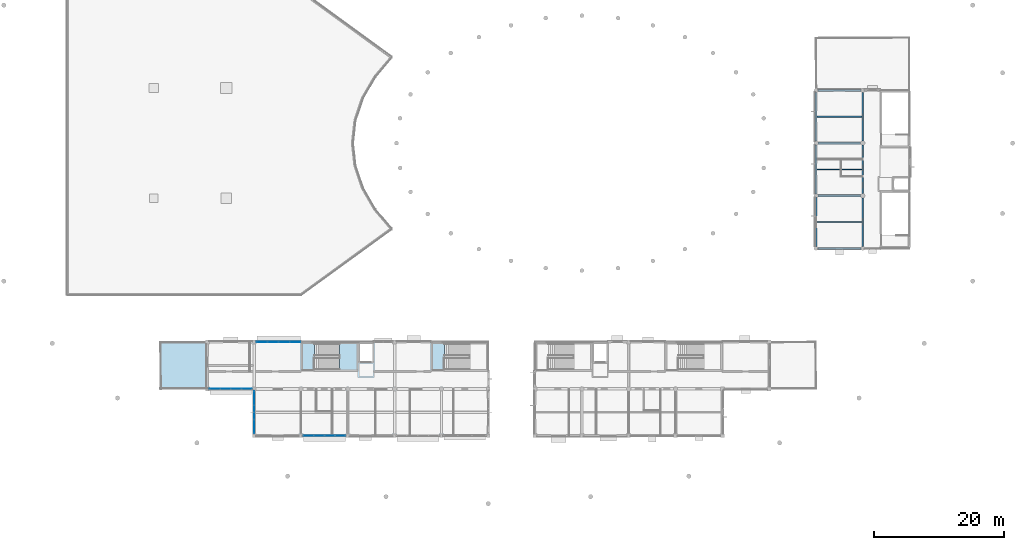
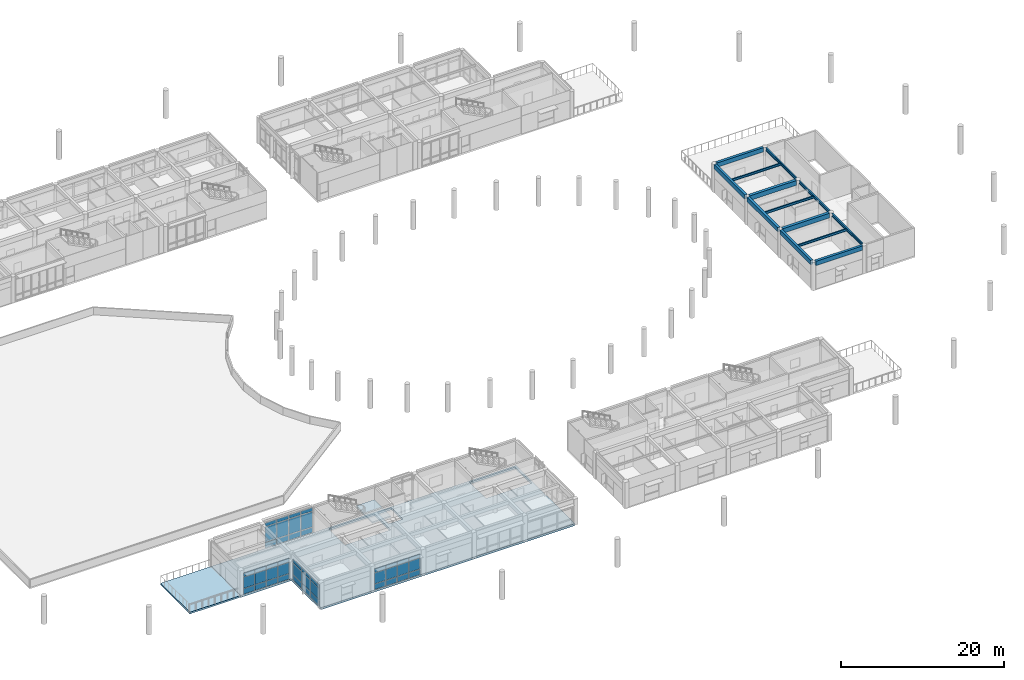
# One storey, part 15 of 55: 45 plates, 13 beams, 3 slabs, 5 elements without a shape of their own.
"""IFC4 building model written with IfcOpenShell, lengths in metres."""

from ifc_helpers import new_model, si_unit, direction, frame, origin, origin_2d, place, context, subcontext, project, spatial, polyline, rectangle, i_section, outline, extrude, material, layer, layer_set, material_profile, profile_set, type_object, element, aggregate, save


model = new_model("IFC4")

# Units and contexts
model_context = context("Model", 3, precision=1e-05, world=origin(), true_north=direction((0.0, 1.0)))
body_context = subcontext(model_context, "Body", "Model", "MODEL_VIEW")
ifc_project = project(units=[si_unit("LENGTHUNIT", "METRE"), si_unit("AREAUNIT", "SQUARE_METRE"), si_unit("VOLUMEUNIT", "CUBIC_METRE"), si_unit("PLANEANGLEUNIT", "RADIAN"), si_unit("MASSUNIT", "GRAM", prefix="KILO")], contexts=[model_context])

# Site, building, storey
site_placement = place(None, origin())
site = spatial("IfcSite", under=ifc_project, at=site_placement, CompositionType="ELEMENT")
building_placement = place(site_placement, origin())
building = spatial("IfcBuilding", under=site, at=building_placement, Name="Namkhue Oval Health Centre", CompositionType="ELEMENT")
storey_placement = place(building_placement, frame((0.0, 0.0, 9.60009765625)))
storey = spatial("IfcBuildingStorey", under=building, at=storey_placement, Name="L02", CompositionType="ELEMENT", Elevation=9.60009765625)

# Beams
ifc_material_1 = material(Name="Structural steel EN 10025-2 S355JR (TCVN 5575:2024)", Category="steel")
ifc_material_profile_1 = material_profile(ifc_material_1, i_section(OverallWidth=0.18994140625, OverallDepth=0.449951171875, WebThickness=0.009521484375, FlangeThickness=0.0146484375, FilletRadius=0.02099609375, at=origin_2d()), Name="IPE 450")
ifc_profile_set_1 = profile_set([ifc_material_profile_1], Name="Structural steel EN 10025-2 S355JR (TCVN 5575:2024)")
beam_type_1 = type_object("IfcBeamType", Name="FLOOR BEAM STEEL IPE 450", PredefinedType="BEAM", material=ifc_profile_set_1)
beam_1_placement = place(storey_placement, frame((144.0, 43.5, 3.974853515625), z_axis=(0.0, 1.0, 0.0), x_axis=(-1.0, 0.0, 0.0)))
element("IfcBeam", 1, at=beam_1_placement, inside=storey, type_object=beam_type_1, Name="Volume V6 L03 Beam 21/G-H", PredefinedType="BEAM", context=body_context, shape_type="SweptSolid", body=[
    extrude(i_section(OverallWidth=0.18994140625, OverallDepth=0.449951171875, WebThickness=0.009521484375, FlangeThickness=0.0146484375, FilletRadius=0.02099609375, at=origin_2d()), origin(), (0.0, 0.0, 1.0), 7.47509765625),
])
beam_2_placement = place(storey_placement, frame((144.0, 51.625, 3.974853515625), z_axis=(0.0, 1.0, 0.0), x_axis=(-1.0, 0.0, 0.0)))
element("IfcBeam", 2, at=beam_2_placement, inside=storey, type_object=beam_type_1, Name="Volume V6 L03 Beam 21/H-J", PredefinedType="BEAM", context=body_context, shape_type="SweptSolid", body=[
    extrude(i_section(OverallWidth=0.18994140625, OverallDepth=0.449951171875, WebThickness=0.009521484375, FlangeThickness=0.0146484375, FilletRadius=0.02099609375, at=origin_2d()), origin(), (0.0, 0.0, 1.0), 7.449951171875),
])
beam_3_placement = place(storey_placement, frame((144.0, 59.72509765625, 3.974853515625), z_axis=(0.0, 1.0, 0.0), x_axis=(-1.0, 0.0, 0.0)))
element("IfcBeam", 3, at=beam_3_placement, inside=storey, type_object=beam_type_1, Name="Volume V6 L03 Beam 21/J-K", PredefinedType="BEAM", context=body_context, shape_type="SweptSolid", body=[
    extrude(i_section(OverallWidth=0.18994140625, OverallDepth=0.449951171875, WebThickness=0.009521484375, FlangeThickness=0.0146484375, FilletRadius=0.02099609375, at=origin_2d()), origin(), (0.0, 0.0, 1.0), 7.474853515625),
])
ifc_material_2 = material(Name="Reinforced concrete C35/45 (TCVN B40)", Category="concrete")
ifc_material_profile_2 = material_profile(ifc_material_2, rectangle(XDim=0.35009765625, YDim=0.64990234375, at=origin_2d()), Name="RC 350x650")
ifc_profile_set_2 = profile_set([ifc_material_profile_2], Name="Reinforced concrete C35/45 (TCVN B40)")
beam_type_2 = type_object("IfcBeamType", Name="PERIMETER SPANDREL BEAM 350X650", PredefinedType="SPANDREL", material=ifc_profile_set_2)
for number, where, z_axis, x_axis, name in (
    (4, (137.10009765625, 43.199951171875, 3.875), (1.0, 0.0, 0.0), (0.0, 1.0, 0.0), "Volume V6 L03 Girder G/20-21"),
    (5, (137.10009765625, 67.5, 3.875), (1.0, 0.0, 0.0), (0.0, 1.0, 0.0), "Volume V6 L03 Girder K/20-21"),
):
    element("IfcBeam", number, at=place(storey_placement, frame(where, z_axis=z_axis, x_axis=x_axis)), inside=storey, type_object=beam_type_2, Name=name, PredefinedType="SPANDREL", context=body_context, shape_type="SweptSolid", body=[
        extrude(rectangle(XDim=0.35009765625, YDim=0.64990234375, at=origin_2d()), origin(), (0.0, 0.0, 1.0), 6.599853515625),
    ])
for number, where, z_axis, x_axis, name in (
    (6, (136.800048828125, 43.5, 3.875), (0.0, 1.0, 0.0), (-1.0, 0.0, 0.0), "Volume V6 L03 Beam 20/G-H"),
    (7, (136.800048828125, 51.60009765625, 3.875), (0.0, 1.0, 0.0), (-1.0, 0.0, 0.0), "Volume V6 L03 Beam 20/H-J"),
    (8, (136.800048828125, 59.699951171875, 3.875), (0.0, 1.0, 0.0), (-1.0, 0.0, 0.0), "Volume V6 L03 Beam 20/J-K"),
):
    element("IfcBeam", number, at=place(storey_placement, frame(where, z_axis=z_axis, x_axis=x_axis)), inside=storey, type_object=beam_type_2, Name=name, PredefinedType="SPANDREL", context=body_context, shape_type="SweptSolid", body=[
        extrude(rectangle(XDim=0.35009765625, YDim=0.64990234375, at=origin_2d()), origin(), (0.0, 0.0, 1.0), 7.5),
    ])
ifc_material_profile_3 = material_profile(ifc_material_2, rectangle(XDim=0.39990234375, YDim=0.699951171875, at=origin_2d()), Name="RC 400x700")
ifc_profile_set_3 = profile_set([ifc_material_profile_3], Name="Reinforced concrete C35/45 (TCVN B40)")
beam_type_3 = type_object("IfcBeamType", Name="PRIMARY GIRDER RC 400X700", PredefinedType="USERDEFINED", material=ifc_profile_set_3)
for number, where, z_axis, x_axis, name in (
    (9, (137.10009765625, 51.300048828125, 3.849853515625), (1.0, 0.0, 0.0), (0.0, 1.0, 0.0), "Volume V6 L03 Girder H/20-21"),
    (10, (137.10009765625, 59.39990234375, 3.849853515625), (1.0, 0.0, 0.0), (0.0, 1.0, 0.0), "Volume V6 L03 Girder J/20-21"),
):
    element("IfcBeam", number, at=place(storey_placement, frame(where, z_axis=z_axis, x_axis=x_axis)), inside=storey, type_object=beam_type_3, Name=name, ObjectType="GIRDER", PredefinedType="USERDEFINED", context=body_context, shape_type="SweptSolid", body=[
        extrude(rectangle(XDim=0.39990234375, YDim=0.699951171875, at=origin_2d()), origin(), (0.0, 0.0, 1.0), 6.574951171875),
    ])
ifc_material_profile_4 = material_profile(ifc_material_1, i_section(OverallWidth=0.169921875, OverallDepth=0.360107421875, WebThickness=0.008056640625, FlangeThickness=0.0126953125, FilletRadius=0.01806640625, at=origin_2d()), Name="IPE 360")
ifc_profile_set_4 = profile_set([ifc_material_profile_4], Name="Structural steel EN 10025-2 S355JR (TCVN 5575:2024)")
beam_type_4 = type_object("IfcBeamType", Name="SECONDARY JOIST STEEL IPE 360", PredefinedType="JOIST", material=ifc_profile_set_4)
for number, where, z_axis, x_axis, name in (
    (11, (136.97509765625, 47.25, 4.02001953125), (1.0, 0.0, 0.0), (0.0, 1.0, 0.0), "Volume V6 L03 Secondary Joist 20-21"),
    (12, (136.97509765625, 55.35009765625, 4.02001953125), (1.0, 0.0, 0.0), (0.0, 1.0, 0.0), "Volume V6 L03 Secondary Joist 20-21"),
    (13, (136.97509765625, 63.449951171875, 4.02001953125), (1.0, 0.0, 0.0), (0.0, 1.0, 0.0), "Volume V6 L03 Secondary Joist 20-21"),
):
    element("IfcBeam", number, at=place(storey_placement, frame(where, z_axis=z_axis, x_axis=x_axis)), inside=storey, type_object=beam_type_4, Name=name, PredefinedType="JOIST", context=body_context, shape_type="SweptSolid", body=[
        extrude(i_section(OverallWidth=0.169921875, OverallDepth=0.360107421875, WebThickness=0.008056640625, FlangeThickness=0.0126953125, FilletRadius=0.01806640625, at=origin_2d()), origin(), (0.0, 0.0, 1.0), 6.929931640625),
    ])

# Curtain wall, plates
ifc_material_3 = material(Name="Anodised aluminium EN AW-6063 T6", Category="aluminium")
ifc_layer_1 = layer(ifc_material_3, 0.159912109375)
ifc_layer_set_1 = layer_set([ifc_layer_1], Name="Anodised aluminium EN AW-6063 T6")
curtain_wall_type_1 = type_object("IfcCurtainWallType", Name="UNITISED CURTAIN WALL M1600", PredefinedType="NOTDEFINED", material=ifc_layer_set_1)
curtain_wall_1_placement = place(storey_placement, origin())
curtain_wall_1 = element("IfcCurtainWall", 14, at=curtain_wall_1_placement, inside=storey, type_object=curtain_wall_type_1, Name="Volume V4 L02 Unitised Curtain Wall 166", PredefinedType="NOTDEFINED")
ifc_material_4 = material(Name="Thermally broken low-E laminated double glazing", Category="glass")
ifc_layer_2 = layer(ifc_material_4, 0.028076171875)
ifc_layer_set_2 = layer_set([ifc_layer_2], Name="Thermally broken low-E laminated double glazing")
plate_type_1 = type_object("IfcPlateType", Name="CURTAIN WALL GLAZED PANEL 28", PredefinedType="CURTAIN_PANEL", material=ifc_layer_set_2)
plate_1_placement = place(storey_placement, frame((56.705322265625, 28.800048828125, 0.074951171875), z_axis=(0.0, 0.0, 1.0), x_axis=(-1.0, 0.0, 0.0)))
plate_1 = element("IfcPlate", 15, at=plate_1_placement, type_object=plate_type_1, Name="CW-04 panel 1.1", PredefinedType="CURTAIN_PANEL", context=body_context, shape_type="SweptSolid", body=[
    extrude(rectangle(XDim=1.60546875, YDim=0.028076171875, at=origin_2d()), origin(), (0.0, 0.0, 1.0), 0.78759765625),
])
plate_2_placement = place(storey_placement, frame((56.705322265625, 28.800048828125, 0.9375), z_axis=(0.0, 0.0, 1.0), x_axis=(-1.0, 0.0, 0.0)))
plate_2 = element("IfcPlate", 16, at=plate_2_placement, type_object=plate_type_1, Name="CW-04 panel 1.2", PredefinedType="CURTAIN_PANEL", context=body_context, shape_type="SweptSolid", body=[
    extrude(rectangle(XDim=1.60546875, YDim=0.028076171875, at=origin_2d()), origin(), (0.0, 0.0, 1.0), 2.27490234375),
])
plate_3_placement = place(storey_placement, frame((56.705322265625, 28.800048828125, 3.287353515625), z_axis=(0.0, 0.0, 1.0), x_axis=(-1.0, 0.0, 0.0)))
plate_3 = element("IfcPlate", 17, at=plate_3_placement, type_object=plate_type_1, Name="CW-04 panel 1.3", PredefinedType="CURTAIN_PANEL", context=body_context, shape_type="SweptSolid", body=[
    extrude(rectangle(XDim=1.60546875, YDim=0.028076171875, at=origin_2d()), origin(), (0.0, 0.0, 1.0), 0.53759765625),
])
plate_4_placement = place(storey_placement, frame((55.006103515625, 28.800048828125, 0.074951171875), z_axis=(0.0, 0.0, 1.0), x_axis=(-1.0, 0.0, 0.0)))
plate_4 = element("IfcPlate", 18, at=plate_4_placement, type_object=plate_type_1, Name="CW-04 panel 2.1", PredefinedType="CURTAIN_PANEL", context=body_context, shape_type="SweptSolid", body=[
    extrude(rectangle(XDim=1.64306640625, YDim=0.028076171875, at=origin_2d()), origin(), (0.0, 0.0, 1.0), 0.78759765625),
])
plate_5_placement = place(storey_placement, frame((55.006103515625, 28.800048828125, 0.9375), z_axis=(0.0, 0.0, 1.0), x_axis=(-1.0, 0.0, 0.0)))
plate_5 = element("IfcPlate", 19, at=plate_5_placement, type_object=plate_type_1, Name="CW-04 panel 2.2", PredefinedType="CURTAIN_PANEL", context=body_context, shape_type="SweptSolid", body=[
    extrude(rectangle(XDim=1.64306640625, YDim=0.028076171875, at=origin_2d()), origin(), (0.0, 0.0, 1.0), 2.27490234375),
])
plate_6_placement = place(storey_placement, frame((55.006103515625, 28.800048828125, 3.287353515625), z_axis=(0.0, 0.0, 1.0), x_axis=(-1.0, 0.0, 0.0)))
plate_6 = element("IfcPlate", 20, at=plate_6_placement, type_object=plate_type_1, Name="CW-04 panel 2.3", PredefinedType="CURTAIN_PANEL", context=body_context, shape_type="SweptSolid", body=[
    extrude(rectangle(XDim=1.64306640625, YDim=0.028076171875, at=origin_2d()), origin(), (0.0, 0.0, 1.0), 0.53759765625),
])
plate_7_placement = place(storey_placement, frame((53.2880859375, 28.800048828125, 0.074951171875), z_axis=(0.0, 0.0, 1.0), x_axis=(-1.0, 0.0, 0.0)))
plate_7 = element("IfcPlate", 21, at=plate_7_placement, type_object=plate_type_1, Name="CW-04 panel 3.1", PredefinedType="CURTAIN_PANEL", context=body_context, shape_type="SweptSolid", body=[
    extrude(rectangle(XDim=1.64306640625, YDim=0.028076171875, at=origin_2d()), origin(), (0.0, 0.0, 1.0), 0.78759765625),
])
plate_8_placement = place(storey_placement, frame((53.2880859375, 28.800048828125, 0.9375), z_axis=(0.0, 0.0, 1.0), x_axis=(-1.0, 0.0, 0.0)))
plate_8 = element("IfcPlate", 22, at=plate_8_placement, type_object=plate_type_1, Name="CW-04 panel 3.2", PredefinedType="CURTAIN_PANEL", context=body_context, shape_type="SweptSolid", body=[
    extrude(rectangle(XDim=1.64306640625, YDim=0.028076171875, at=origin_2d()), origin(), (0.0, 0.0, 1.0), 2.27490234375),
])
plate_9_placement = place(storey_placement, frame((53.2880859375, 28.800048828125, 3.287353515625), z_axis=(0.0, 0.0, 1.0), x_axis=(-1.0, 0.0, 0.0)))
plate_9 = element("IfcPlate", 23, at=plate_9_placement, type_object=plate_type_1, Name="CW-04 panel 3.3", PredefinedType="CURTAIN_PANEL", context=body_context, shape_type="SweptSolid", body=[
    extrude(rectangle(XDim=1.64306640625, YDim=0.028076171875, at=origin_2d()), origin(), (0.0, 0.0, 1.0), 0.53759765625),
])
plate_10_placement = place(storey_placement, frame((51.5888671875, 28.800048828125, 0.074951171875), z_axis=(0.0, 0.0, 1.0), x_axis=(-1.0, 0.0, 0.0)))
plate_10 = element("IfcPlate", 24, at=plate_10_placement, type_object=plate_type_1, Name="CW-04 panel 4.1", PredefinedType="CURTAIN_PANEL", context=body_context, shape_type="SweptSolid", body=[
    extrude(rectangle(XDim=1.60546875, YDim=0.028076171875, at=origin_2d()), origin(), (0.0, 0.0, 1.0), 0.78759765625),
])
plate_11_placement = place(storey_placement, frame((51.5888671875, 28.800048828125, 0.9375), z_axis=(0.0, 0.0, 1.0), x_axis=(-1.0, 0.0, 0.0)))
plate_11 = element("IfcPlate", 25, at=plate_11_placement, type_object=plate_type_1, Name="CW-04 panel 4.2", PredefinedType="CURTAIN_PANEL", context=body_context, shape_type="SweptSolid", body=[
    extrude(rectangle(XDim=1.60546875, YDim=0.028076171875, at=origin_2d()), origin(), (0.0, 0.0, 1.0), 2.27490234375),
])
plate_12_placement = place(storey_placement, frame((51.5888671875, 28.800048828125, 3.287353515625), z_axis=(0.0, 0.0, 1.0), x_axis=(-1.0, 0.0, 0.0)))
plate_12 = element("IfcPlate", 26, at=plate_12_placement, type_object=plate_type_1, Name="CW-04 panel 4.3", PredefinedType="CURTAIN_PANEL", context=body_context, shape_type="SweptSolid", body=[
    extrude(rectangle(XDim=1.60546875, YDim=0.028076171875, at=origin_2d()), origin(), (0.0, 0.0, 1.0), 0.53759765625),
])
aggregate(curtain_wall_1, [plate_1, plate_2, plate_3, plate_4, plate_5, plate_6, plate_7, plate_8, plate_9, plate_10, plate_11, plate_12])

ifc_layer_3 = layer(ifc_material_3, 0.159912109375)
ifc_layer_set_3 = layer_set([ifc_layer_3], Name="Anodised aluminium EN AW-6063 T6")
curtain_wall_type_2 = type_object("IfcCurtainWallType", Name="UNITISED CURTAIN WALL M1800", PredefinedType="NOTDEFINED", material=ifc_layer_set_3)
curtain_wall_2_placement = place(storey_placement, origin())
curtain_wall_2 = element("IfcCurtainWall", 27, at=curtain_wall_2_placement, inside=storey, type_object=curtain_wall_type_2, Name="Volume V4 L02 Unitised Curtain Wall 167", PredefinedType="NOTDEFINED")
ifc_material_5 = material(Name="Insulated anodised aluminium spandrel panel", Category="aluminium")
ifc_layer_4 = layer(ifc_material_5, 0.031982421875)
ifc_layer_set_4 = layer_set([ifc_layer_4], Name="Insulated anodised aluminium spandrel panel")
plate_type_2 = type_object("IfcPlateType", Name="CURTAIN WALL SPANDREL PANEL 32", PredefinedType="CURTAIN_PANEL", material=ifc_layer_set_4)
plate_13_placement = place(storey_placement, frame((44.349609375, 21.60009765625, 0.06494140625), z_axis=(0.0, 0.0, 1.0), x_axis=(1.0, 0.0, 0.0)))
plate_13 = element("IfcPlate", 28, at=plate_13_placement, type_object=plate_type_2, Name="CW-05 panel 1.1", PredefinedType="CURTAIN_PANEL", context=body_context, shape_type="SweptSolid", body=[
    extrude(rectangle(XDim=1.547119140625, YDim=0.031982421875, at=origin_2d()), origin(), (0.0, 0.0, 1.0), 0.802490234375),
])
plate_14_placement = place(storey_placement, frame((44.349609375, 21.60009765625, 0.9326171875), z_axis=(0.0, 0.0, 1.0), x_axis=(1.0, 0.0, 0.0)))
plate_14 = element("IfcPlate", 29, at=plate_14_placement, type_object=plate_type_2, Name="CW-05 panel 1.2", PredefinedType="CURTAIN_PANEL", context=body_context, shape_type="SweptSolid", body=[
    extrude(rectangle(XDim=1.547119140625, YDim=0.031982421875, at=origin_2d()), origin(), (0.0, 0.0, 1.0), 1.677001953125),
])
plate_15_placement = place(storey_placement, frame((44.349609375, 21.60009765625, 2.67431640625), z_axis=(0.0, 0.0, 1.0), x_axis=(1.0, 0.0, 0.0)))
plate_15 = element("IfcPlate", 30, at=plate_15_placement, type_object=plate_type_2, Name="CW-05 panel 1.3", PredefinedType="CURTAIN_PANEL", context=body_context, shape_type="SweptSolid", body=[
    extrude(rectangle(XDim=1.547119140625, YDim=0.031982421875, at=origin_2d()), origin(), (0.0, 0.0, 1.0), 0.552490234375),
])
plate_16_placement = place(storey_placement, frame((45.977783203125, 21.60009765625, 0.06494140625), z_axis=(0.0, 0.0, 1.0), x_axis=(1.0, 0.0, 0.0)))
plate_16 = element("IfcPlate", 31, at=plate_16_placement, type_object=plate_type_2, Name="CW-05 panel 2.1", PredefinedType="CURTAIN_PANEL", context=body_context, shape_type="SweptSolid", body=[
    extrude(rectangle(XDim=1.57958984375, YDim=0.031982421875, at=origin_2d()), origin(), (0.0, 0.0, 1.0), 0.802490234375),
])
plate_17_placement = place(storey_placement, frame((45.977783203125, 21.60009765625, 0.9326171875), z_axis=(0.0, 0.0, 1.0), x_axis=(1.0, 0.0, 0.0)))
plate_17 = element("IfcPlate", 32, at=plate_17_placement, type_object=plate_type_2, Name="CW-05 panel 2.2", PredefinedType="CURTAIN_PANEL", context=body_context, shape_type="SweptSolid", body=[
    extrude(rectangle(XDim=1.57958984375, YDim=0.031982421875, at=origin_2d()), origin(), (0.0, 0.0, 1.0), 1.677001953125),
])
plate_18_placement = place(storey_placement, frame((45.977783203125, 21.60009765625, 2.67431640625), z_axis=(0.0, 0.0, 1.0), x_axis=(1.0, 0.0, 0.0)))
plate_18 = element("IfcPlate", 33, at=plate_18_placement, type_object=plate_type_2, Name="CW-05 panel 2.3", PredefinedType="CURTAIN_PANEL", context=body_context, shape_type="SweptSolid", body=[
    extrude(rectangle(XDim=1.57958984375, YDim=0.031982421875, at=origin_2d()), origin(), (0.0, 0.0, 1.0), 0.552490234375),
])
plate_19_placement = place(storey_placement, frame((47.622314453125, 21.60009765625, 0.06494140625), z_axis=(0.0, 0.0, 1.0), x_axis=(1.0, 0.0, 0.0)))
plate_19 = element("IfcPlate", 34, at=plate_19_placement, type_object=plate_type_2, Name="CW-05 panel 3.1", PredefinedType="CURTAIN_PANEL", context=body_context, shape_type="SweptSolid", body=[
    extrude(rectangle(XDim=1.57958984375, YDim=0.031982421875, at=origin_2d()), origin(), (0.0, 0.0, 1.0), 0.802490234375),
])
plate_20_placement = place(storey_placement, frame((47.622314453125, 21.60009765625, 0.9326171875), z_axis=(0.0, 0.0, 1.0), x_axis=(1.0, 0.0, 0.0)))
plate_20 = element("IfcPlate", 35, at=plate_20_placement, type_object=plate_type_2, Name="CW-05 panel 3.2", PredefinedType="CURTAIN_PANEL", context=body_context, shape_type="SweptSolid", body=[
    extrude(rectangle(XDim=1.57958984375, YDim=0.031982421875, at=origin_2d()), origin(), (0.0, 0.0, 1.0), 1.677001953125),
])
plate_21_placement = place(storey_placement, frame((47.622314453125, 21.60009765625, 2.67431640625), z_axis=(0.0, 0.0, 1.0), x_axis=(1.0, 0.0, 0.0)))
plate_21 = element("IfcPlate", 36, at=plate_21_placement, type_object=plate_type_2, Name="CW-05 panel 3.3", PredefinedType="CURTAIN_PANEL", context=body_context, shape_type="SweptSolid", body=[
    extrude(rectangle(XDim=1.57958984375, YDim=0.031982421875, at=origin_2d()), origin(), (0.0, 0.0, 1.0), 0.552490234375),
])
plate_22_placement = place(storey_placement, frame((49.25048828125, 21.60009765625, 0.06494140625), z_axis=(0.0, 0.0, 1.0), x_axis=(1.0, 0.0, 0.0)))
plate_22 = element("IfcPlate", 37, at=plate_22_placement, type_object=plate_type_2, Name="CW-05 panel 4.1", PredefinedType="CURTAIN_PANEL", context=body_context, shape_type="SweptSolid", body=[
    extrude(rectangle(XDim=1.547119140625, YDim=0.031982421875, at=origin_2d()), origin(), (0.0, 0.0, 1.0), 0.802490234375),
])
plate_23_placement = place(storey_placement, frame((49.25048828125, 21.60009765625, 0.9326171875), z_axis=(0.0, 0.0, 1.0), x_axis=(1.0, 0.0, 0.0)))
plate_23 = element("IfcPlate", 38, at=plate_23_placement, type_object=plate_type_2, Name="CW-05 panel 4.2", PredefinedType="CURTAIN_PANEL", context=body_context, shape_type="SweptSolid", body=[
    extrude(rectangle(XDim=1.547119140625, YDim=0.031982421875, at=origin_2d()), origin(), (0.0, 0.0, 1.0), 1.677001953125),
])
plate_24_placement = place(storey_placement, frame((49.25048828125, 21.60009765625, 2.67431640625), z_axis=(0.0, 0.0, 1.0), x_axis=(1.0, 0.0, 0.0)))
plate_24 = element("IfcPlate", 39, at=plate_24_placement, type_object=plate_type_2, Name="CW-05 panel 4.3", PredefinedType="CURTAIN_PANEL", context=body_context, shape_type="SweptSolid", body=[
    extrude(rectangle(XDim=1.547119140625, YDim=0.031982421875, at=origin_2d()), origin(), (0.0, 0.0, 1.0), 0.552490234375),
])
aggregate(curtain_wall_2, [plate_13, plate_14, plate_15, plate_16, plate_17, plate_18, plate_19, plate_20, plate_21, plate_22, plate_23, plate_24])

curtain_wall_3_placement = place(storey_placement, origin())
curtain_wall_3 = element("IfcCurtainWall", 40, at=curtain_wall_3_placement, inside=storey, type_object=curtain_wall_type_1, Name="Volume V4 L02 Unitised Curtain Wall 160", PredefinedType="NOTDEFINED")
ifc_layer_5 = layer(ifc_material_5, 0.035888671875)
ifc_layer_set_5 = layer_set([ifc_layer_5], Name="Insulated anodised aluminium spandrel panel")
plate_type_3 = type_object("IfcPlateType", Name="CURTAIN WALL SPANDREL PANEL 36", PredefinedType="CURTAIN_PANEL", material=ifc_layer_set_5)
plate_25_placement = place(storey_placement, frame((58.751953125, 14.39990234375, 0.074951171875), z_axis=(0.0, 0.0, 1.0), x_axis=(1.0, 0.0, 0.0)))
plate_25 = element("IfcPlate", 41, at=plate_25_placement, type_object=plate_type_3, Name="CW-04 panel 1.1", PredefinedType="CURTAIN_PANEL", context=body_context, shape_type="SweptSolid", body=[
    extrude(rectangle(XDim=1.531982421875, YDim=0.035888671875, at=origin_2d()), origin(), (0.0, 0.0, 1.0), 0.78759765625),
])
plate_26_placement = place(storey_placement, frame((58.751953125, 14.39990234375, 0.9375), z_axis=(0.0, 0.0, 1.0), x_axis=(1.0, 0.0, 0.0)))
plate_26 = element("IfcPlate", 42, at=plate_26_placement, type_object=plate_type_3, Name="CW-04 panel 1.2", PredefinedType="CURTAIN_PANEL", context=body_context, shape_type="SweptSolid", body=[
    extrude(rectangle(XDim=1.531982421875, YDim=0.035888671875, at=origin_2d()), origin(), (0.0, 0.0, 1.0), 1.625),
])
plate_27_placement = place(storey_placement, frame((58.751953125, 14.39990234375, 2.637451171875), z_axis=(0.0, 0.0, 1.0), x_axis=(1.0, 0.0, 0.0)))
plate_27 = element("IfcPlate", 43, at=plate_27_placement, type_object=plate_type_3, Name="CW-04 panel 1.3", PredefinedType="CURTAIN_PANEL", context=body_context, shape_type="SweptSolid", body=[
    extrude(rectangle(XDim=1.531982421875, YDim=0.035888671875, at=origin_2d()), origin(), (0.0, 0.0, 1.0), 0.53759765625),
])
plate_28_placement = place(storey_placement, frame((60.377685546875, 14.39990234375, 0.074951171875), z_axis=(0.0, 0.0, 1.0), x_axis=(1.0, 0.0, 0.0)))
plate_28 = element("IfcPlate", 44, at=plate_28_placement, type_object=plate_type_3, Name="CW-04 panel 2.1", PredefinedType="CURTAIN_PANEL", context=body_context, shape_type="SweptSolid", body=[
    extrude(rectangle(XDim=1.569580078125, YDim=0.035888671875, at=origin_2d()), origin(), (0.0, 0.0, 1.0), 0.78759765625),
])
plate_29_placement = place(storey_placement, frame((60.377685546875, 14.39990234375, 0.9375), z_axis=(0.0, 0.0, 1.0), x_axis=(1.0, 0.0, 0.0)))
plate_29 = element("IfcPlate", 45, at=plate_29_placement, type_object=plate_type_3, Name="CW-04 panel 2.2", PredefinedType="CURTAIN_PANEL", context=body_context, shape_type="SweptSolid", body=[
    extrude(rectangle(XDim=1.569580078125, YDim=0.035888671875, at=origin_2d()), origin(), (0.0, 0.0, 1.0), 1.625),
])
plate_30_placement = place(storey_placement, frame((60.377685546875, 14.39990234375, 2.637451171875), z_axis=(0.0, 0.0, 1.0), x_axis=(1.0, 0.0, 0.0)))
plate_30 = element("IfcPlate", 46, at=plate_30_placement, type_object=plate_type_3, Name="CW-04 panel 2.3", PredefinedType="CURTAIN_PANEL", context=body_context, shape_type="SweptSolid", body=[
    extrude(rectangle(XDim=1.569580078125, YDim=0.035888671875, at=origin_2d()), origin(), (0.0, 0.0, 1.0), 0.53759765625),
])
plate_31_placement = place(storey_placement, frame((62.022216796875, 14.39990234375, 0.074951171875), z_axis=(0.0, 0.0, 1.0), x_axis=(1.0, 0.0, 0.0)))
plate_31 = element("IfcPlate", 47, at=plate_31_placement, type_object=plate_type_3, Name="CW-04 panel 3.1", PredefinedType="CURTAIN_PANEL", context=body_context, shape_type="SweptSolid", body=[
    extrude(rectangle(XDim=1.569580078125, YDim=0.035888671875, at=origin_2d()), origin(), (0.0, 0.0, 1.0), 0.78759765625),
])
plate_32_placement = place(storey_placement, frame((62.022216796875, 14.39990234375, 0.9375), z_axis=(0.0, 0.0, 1.0), x_axis=(1.0, 0.0, 0.0)))
plate_32 = element("IfcPlate", 48, at=plate_32_placement, type_object=plate_type_3, Name="CW-04 panel 3.2", PredefinedType="CURTAIN_PANEL", context=body_context, shape_type="SweptSolid", body=[
    extrude(rectangle(XDim=1.569580078125, YDim=0.035888671875, at=origin_2d()), origin(), (0.0, 0.0, 1.0), 1.625),
])
plate_33_placement = place(storey_placement, frame((62.022216796875, 14.39990234375, 2.637451171875), z_axis=(0.0, 0.0, 1.0), x_axis=(1.0, 0.0, 0.0)))
plate_33 = element("IfcPlate", 49, at=plate_33_placement, type_object=plate_type_3, Name="CW-04 panel 3.3", PredefinedType="CURTAIN_PANEL", context=body_context, shape_type="SweptSolid", body=[
    extrude(rectangle(XDim=1.569580078125, YDim=0.035888671875, at=origin_2d()), origin(), (0.0, 0.0, 1.0), 0.53759765625),
])
plate_34_placement = place(storey_placement, frame((63.64794921875, 14.39990234375, 0.074951171875), z_axis=(0.0, 0.0, 1.0), x_axis=(1.0, 0.0, 0.0)))
plate_34 = element("IfcPlate", 50, at=plate_34_placement, type_object=plate_type_3, Name="CW-04 panel 4.1", PredefinedType="CURTAIN_PANEL", context=body_context, shape_type="SweptSolid", body=[
    extrude(rectangle(XDim=1.531982421875, YDim=0.035888671875, at=origin_2d()), origin(), (0.0, 0.0, 1.0), 0.78759765625),
])
plate_35_placement = place(storey_placement, frame((63.64794921875, 14.39990234375, 0.9375), z_axis=(0.0, 0.0, 1.0), x_axis=(1.0, 0.0, 0.0)))
plate_35 = element("IfcPlate", 51, at=plate_35_placement, type_object=plate_type_3, Name="CW-04 panel 4.2", PredefinedType="CURTAIN_PANEL", context=body_context, shape_type="SweptSolid", body=[
    extrude(rectangle(XDim=1.531982421875, YDim=0.035888671875, at=origin_2d()), origin(), (0.0, 0.0, 1.0), 1.625),
])
plate_36_placement = place(storey_placement, frame((63.64794921875, 14.39990234375, 2.637451171875), z_axis=(0.0, 0.0, 1.0), x_axis=(1.0, 0.0, 0.0)))
plate_36 = element("IfcPlate", 52, at=plate_36_placement, type_object=plate_type_3, Name="CW-04 panel 4.3", PredefinedType="CURTAIN_PANEL", context=body_context, shape_type="SweptSolid", body=[
    extrude(rectangle(XDim=1.531982421875, YDim=0.035888671875, at=origin_2d()), origin(), (0.0, 0.0, 1.0), 0.53759765625),
])
aggregate(curtain_wall_3, [plate_25, plate_26, plate_27, plate_28, plate_29, plate_30, plate_31, plate_32, plate_33, plate_34, plate_35, plate_36])

ifc_layer_6 = layer(ifc_material_3, 0.159912109375)
ifc_layer_set_6 = layer_set([ifc_layer_6], Name="Anodised aluminium EN AW-6063 T6")
curtain_wall_type_3 = type_object("IfcCurtainWallType", Name="UNITISED CURTAIN WALL M2000", PredefinedType="NOTDEFINED", material=ifc_layer_set_6)
curtain_wall_4_placement = place(storey_placement, origin())
curtain_wall_4 = element("IfcCurtainWall", 53, at=curtain_wall_4_placement, inside=storey, type_object=curtain_wall_type_3, Name="Volume V4 L02 Unitised Curtain Wall 168", PredefinedType="NOTDEFINED")
plate_37_placement = place(storey_placement, frame((50.39990234375, 20.173828125, 0.074951171875), z_axis=(0.0, 0.0, 1.0), x_axis=(0.0, -1.0, 0.0)))
plate_37 = element("IfcPlate", 54, at=plate_37_placement, type_object=plate_type_3, Name="CW-06 panel 1.1", PredefinedType="CURTAIN_PANEL", context=body_context, shape_type="SweptSolid", body=[
    extrude(rectangle(XDim=2.080078125, YDim=0.035888671875, at=origin_2d()), origin(), (0.0, 0.0, 1.0), 0.78759765625),
])
plate_38_placement = place(storey_placement, frame((50.39990234375, 20.173828125, 0.9375), z_axis=(0.0, 0.0, 1.0), x_axis=(0.0, -1.0, 0.0)))
plate_38 = element("IfcPlate", 55, at=plate_38_placement, type_object=plate_type_3, Name="CW-06 panel 1.2", PredefinedType="CURTAIN_PANEL", context=body_context, shape_type="SweptSolid", body=[
    extrude(rectangle(XDim=2.080078125, YDim=0.035888671875, at=origin_2d()), origin(), (0.0, 0.0, 1.0), 1.6669921875),
])
plate_39_placement = place(storey_placement, frame((50.39990234375, 20.173828125, 2.679443359375), z_axis=(0.0, 0.0, 1.0), x_axis=(0.0, -1.0, 0.0)))
plate_39 = element("IfcPlate", 56, at=plate_39_placement, type_object=plate_type_3, Name="CW-06 panel 1.3", PredefinedType="CURTAIN_PANEL", context=body_context, shape_type="SweptSolid", body=[
    extrude(rectangle(XDim=2.080078125, YDim=0.035888671875, at=origin_2d()), origin(), (0.0, 0.0, 1.0), 0.53759765625),
])
plate_40_placement = place(storey_placement, frame((50.39990234375, 18.0, 0.074951171875), z_axis=(0.0, 0.0, 1.0), x_axis=(0.0, -1.0, 0.0)))
plate_40 = element("IfcPlate", 57, at=plate_40_placement, type_object=plate_type_3, Name="CW-06 panel 2.1", PredefinedType="CURTAIN_PANEL", context=body_context, shape_type="SweptSolid", body=[
    extrude(rectangle(XDim=2.11767578125, YDim=0.035888671875, at=origin_2d()), origin(), (0.0, 0.0, 1.0), 0.78759765625),
])
plate_41_placement = place(storey_placement, frame((50.39990234375, 18.0, 0.9375), z_axis=(0.0, 0.0, 1.0), x_axis=(0.0, -1.0, 0.0)))
plate_41 = element("IfcPlate", 58, at=plate_41_placement, type_object=plate_type_3, Name="CW-06 panel 2.2", PredefinedType="CURTAIN_PANEL", context=body_context, shape_type="SweptSolid", body=[
    extrude(rectangle(XDim=2.11767578125, YDim=0.035888671875, at=origin_2d()), origin(), (0.0, 0.0, 1.0), 1.6669921875),
])
plate_42_placement = place(storey_placement, frame((50.39990234375, 18.0, 2.679443359375), z_axis=(0.0, 0.0, 1.0), x_axis=(0.0, -1.0, 0.0)))
plate_42 = element("IfcPlate", 59, at=plate_42_placement, type_object=plate_type_3, Name="CW-06 panel 2.3", PredefinedType="CURTAIN_PANEL", context=body_context, shape_type="SweptSolid", body=[
    extrude(rectangle(XDim=2.11767578125, YDim=0.035888671875, at=origin_2d()), origin(), (0.0, 0.0, 1.0), 0.53759765625),
])
plate_43_placement = place(storey_placement, frame((50.39990234375, 15.826171875, 0.074951171875), z_axis=(0.0, 0.0, 1.0), x_axis=(0.0, -1.0, 0.0)))
plate_43 = element("IfcPlate", 60, at=plate_43_placement, type_object=plate_type_3, Name="CW-06 panel 3.1", PredefinedType="CURTAIN_PANEL", context=body_context, shape_type="SweptSolid", body=[
    extrude(rectangle(XDim=2.080078125, YDim=0.035888671875, at=origin_2d()), origin(), (0.0, 0.0, 1.0), 0.78759765625),
])
plate_44_placement = place(storey_placement, frame((50.39990234375, 15.826171875, 0.9375), z_axis=(0.0, 0.0, 1.0), x_axis=(0.0, -1.0, 0.0)))
plate_44 = element("IfcPlate", 61, at=plate_44_placement, type_object=plate_type_3, Name="CW-06 panel 3.2", PredefinedType="CURTAIN_PANEL", context=body_context, shape_type="SweptSolid", body=[
    extrude(rectangle(XDim=2.080078125, YDim=0.035888671875, at=origin_2d()), origin(), (0.0, 0.0, 1.0), 1.6669921875),
])
plate_45_placement = place(storey_placement, frame((50.39990234375, 15.826171875, 2.679443359375), z_axis=(0.0, 0.0, 1.0), x_axis=(0.0, -1.0, 0.0)))
plate_45 = element("IfcPlate", 62, at=plate_45_placement, type_object=plate_type_3, Name="CW-06 panel 3.3", PredefinedType="CURTAIN_PANEL", context=body_context, shape_type="SweptSolid", body=[
    extrude(rectangle(XDim=2.080078125, YDim=0.035888671875, at=origin_2d()), origin(), (0.0, 0.0, 1.0), 0.53759765625),
])
aggregate(curtain_wall_4, [plate_37, plate_38, plate_39, plate_40, plate_41, plate_42, plate_43, plate_44, plate_45])

# Slab
ifc_material_6 = material(Name="Reinforced concrete C30/37 (TCVN B35)", Category="concrete")
ifc_layer_7 = layer(ifc_material_6, 0.251953125)
ifc_layer_set_7 = layer_set([ifc_layer_7], Name="Reinforced concrete C30/37 (TCVN B35)")
slab_type_1 = type_object("IfcSlabType", Name="EXTERIOR TERRACE SLAB 252", PredefinedType="FLOOR", material=ifc_layer_set_7)
slab_1_placement = place(storey_placement, frame((0.0, 0.0, -0.252197265625)))
element("IfcSlab", 63, at=slab_1_placement, inside=storey, type_object=slab_type_1, Name="Volume V4 L02 Exterior Roof Terrace Slab", PredefinedType="FLOOR", context=body_context, shape_type="SweptSolid", body=[
    extrude(outline(polyline([(36.0, 21.60009765625), (43.199951171875, 21.60009765625), (43.199951171875, 28.800048828125), (36.0, 28.800048828125), (36.0, 21.60009765625)])), origin(), (0.0, 0.0, 1.0), 0.252197265625),
])

# Stair, slab
stair_type = type_object("IfcStairType", Name="DOGLEG EXIT STAIR H4200", PredefinedType="HALF_TURN_STAIR", material=ifc_material_6)
stair_placement = place(storey_placement, origin())
stair = element("IfcStair", 64, at=stair_placement, inside=storey, type_object=stair_type, Name="Protected Exit Stair ST-07 L02", PredefinedType="HALF_TURN_STAIR")
ifc_layer_8 = layer(ifc_material_6, 0.195068359375)
ifc_layer_set_8 = layer_set([ifc_layer_8], Name="Reinforced concrete C30/37 (TCVN B35)")
slab_type_2 = type_object("IfcSlabType", Name="STAIR LANDING SLAB 195", PredefinedType="LANDING", material=ifc_layer_set_8)
slab_2_placement = place(storey_placement, frame((0.0, 0.0, 1.90478515625)))
slab_2 = element("IfcSlab", 65, at=slab_2_placement, type_object=slab_type_2, Name="ST-07 landing 1", PredefinedType="LANDING", context=body_context, shape_type="SweptSolid", body=[
    extrude(outline(polyline([(63.544921875, 24.52490234375), (66.175048828125, 24.52490234375), (66.175048828125, 28.574951171875), (63.544921875, 28.574951171875), (63.544921875, 24.52490234375)])), origin(), (0.0, 0.0, 1.0), 0.195068359375),
])
aggregate(stair, [slab_2])

# Slab
ifc_layer_9 = layer(ifc_material_2, 0.294921875)
ifc_layer_set_9 = layer_set([ifc_layer_9], Name="Reinforced concrete C35/45 (TCVN B40)")
slab_type_3 = type_object("IfcSlabType", Name="SUSPENDED FLOOR SLAB 295", PredefinedType="FLOOR", material=ifc_layer_set_9)
slab_3_placement = place(storey_placement, frame((0.0, 0.0, -0.295166015625)))
element("IfcSlab", 66, at=slab_3_placement, inside=storey, type_object=slab_type_3, Name="Volume V4 L02 Suspended Floor Slab", PredefinedType="FLOOR", context=body_context, shape_type="SweptSolid", body=[
    extrude(outline(polyline([(50.39990234375, 14.39990234375), (86.39990234375, 14.39990234375), (86.39990234375, 28.800048828125), (43.199951171875, 28.800048828125), (43.199951171875, 21.60009765625), (50.39990234375, 21.60009765625), (50.39990234375, 14.39990234375)]), holes=[polyline([(59.655029296875, 24.550048828125), (66.14990234375, 24.550048828125), (66.14990234375, 28.550048828125), (59.655029296875, 28.550048828125), (59.655029296875, 24.550048828125)]), polyline([(79.655029296875, 24.550048828125), (86.14990234375, 24.550048828125), (86.14990234375, 28.550048828125), (79.655029296875, 28.550048828125), (79.655029296875, 24.550048828125)]), polyline([(66.60009765625, 25.800048828125), (68.60009765625, 25.800048828125), (68.60009765625, 28.60009765625), (66.60009765625, 28.60009765625), (66.60009765625, 25.800048828125)])]), origin(), (0.0, 0.0, 1.0), 0.295166015625),
])

save(model, "model.ifc")
